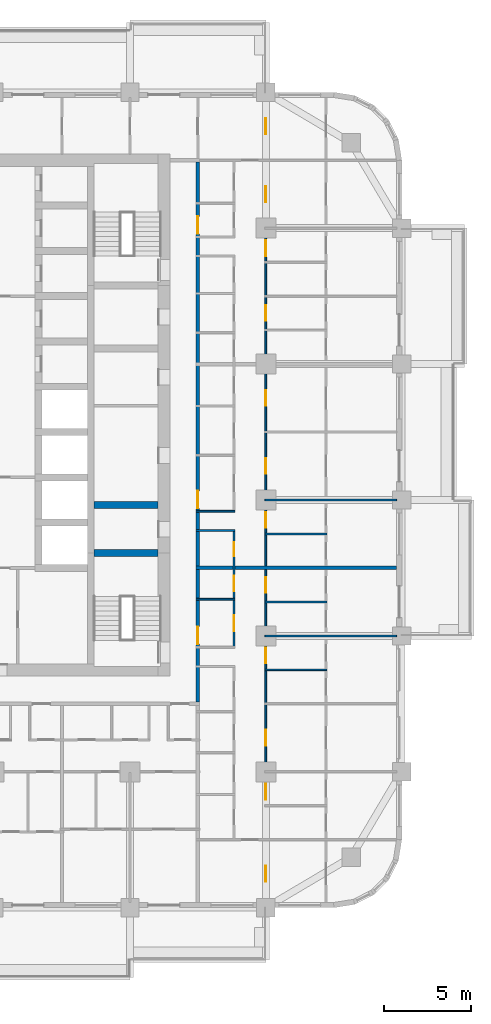
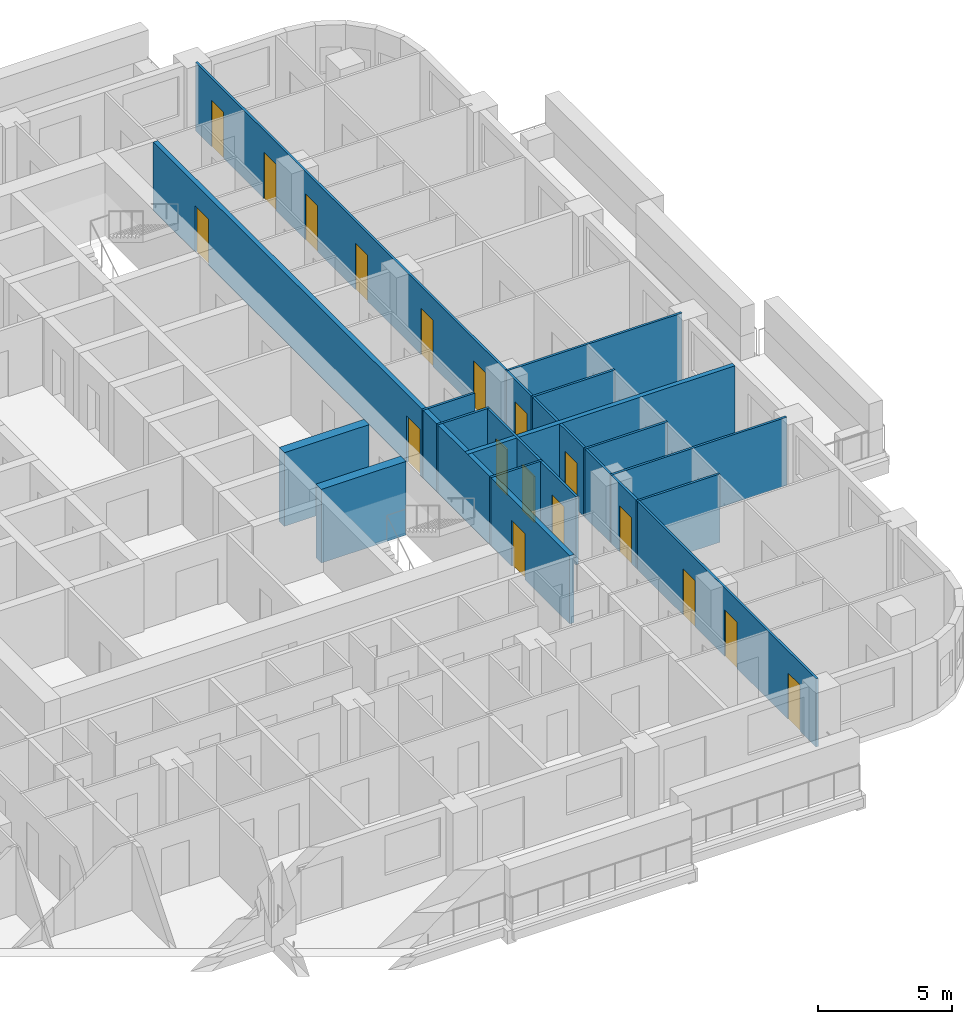
# One storey, part 8 of 17: 18 doors, 14 walls, 18 openings.
"""IFC4 building model written with IfcOpenShell, lengths in metres."""

from ifc_helpers import new_model, si_unit, direction, frame, frame_2d, origin, place, context, subcontext, project, spatial, rectangle, extrude, material, layer, layer_set, type_object, element, fill, save


model = new_model("IFC4")

# Units and contexts
model_context = context("Model", 3, precision=1e-05, world=origin(), true_north=direction((0.0, 1.0)))
body_context = subcontext(model_context, "Body", "Model", "MODEL_VIEW")
ifc_project = project(units=[si_unit("LENGTHUNIT", "METRE"), si_unit("AREAUNIT", "SQUARE_METRE"), si_unit("VOLUMEUNIT", "CUBIC_METRE"), si_unit("PLANEANGLEUNIT", "RADIAN"), si_unit("MASSUNIT", "GRAM", prefix="KILO")], contexts=[model_context])

# Site, building, storey
site_placement = place(None, origin())
site = spatial("IfcSite", under=ifc_project, at=site_placement, CompositionType="ELEMENT")
building_placement = place(site_placement, origin())
building = spatial("IfcBuilding", under=site, at=building_placement, Name="Ludao Terraces", CompositionType="ELEMENT")
storey_placement = place(building_placement, frame((0.0, 0.0, 43.300048828125)))
storey = spatial("IfcBuildingStorey", under=building, at=storey_placement, Name="L11", CompositionType="ELEMENT", Elevation=43.300048828125)

# Wall, openings, doors
ifc_material_1 = material(Name="Autoclaved aerated concrete block B06 A3.5", Category="concrete")
ifc_layer_1 = layer(ifc_material_1, 0.199951171875)
ifc_layer_set_1 = layer_set([ifc_layer_1], Name="INT Entrance wall 200")
wall_type_1 = type_object("IfcWallType", Name="INT Entrance wall 200", PredefinedType="PARTITIONING", material=ifc_layer_set_1)
wall_1_placement = place(storey_placement, frame((96.699951171875, 53.400146484375, 0.0), z_axis=(0.0, 0.0, 1.0), x_axis=(0.0, 1.0, 0.0)))
wall_1 = element("IfcWall", 1, at=wall_1_placement, inside=storey, type_object=wall_type_1, Name="PW-L11-PW117", PredefinedType="PARTITIONING", context=body_context, shape_type="SweptSolid", body=[
    extrude(rectangle(XDim=31.0, YDim=0.199951171875, at=frame_2d((15.5, 0.0))), origin(), (0.0, 0.0, 1.0), 3.099853515625),
])
opening_1_placement = place(wall_1_placement, frame((3.324951171875, 0.0, 0.0)))
opening_1 = element("IfcOpeningElement", 2, at=opening_1_placement, cuts=wall_1, Name="Opening R03-061", PredefinedType="OPENING", context=body_context, shape_type="SweptSolid", body=[
    extrude(rectangle(XDim=1.0, YDim=2.10009765625, at=frame_2d((0.5, 1.050048828125))), frame((0.0, 0.10986328125, 0.0), z_axis=(0.0, -1.0, 0.0), x_axis=(1.0, 0.0, 0.0)), (0.0, 0.0, 1.0), 0.219970703125),
])
opening_2_placement = place(wall_1_placement, frame((11.125, 0.0, 0.0)))
opening_2 = element("IfcOpeningElement", 3, at=opening_2_placement, cuts=wall_1, Name="Opening R03-087", PredefinedType="OPENING", context=body_context, shape_type="SweptSolid", body=[
    extrude(rectangle(XDim=1.0, YDim=2.10009765625, at=frame_2d((0.5, 1.050048828125))), frame((0.0, 0.10986328125, 0.0), z_axis=(0.0, -1.0, 0.0), x_axis=(1.0, 0.0, 0.0)), (0.0, 0.0, 1.0), 0.219970703125),
])
opening_3_placement = place(wall_1_placement, frame((26.875, 0.0, 0.0)))
opening_3 = element("IfcOpeningElement", 4, at=opening_3_placement, cuts=wall_1, Name="Opening R03-142", PredefinedType="OPENING", context=body_context, shape_type="SweptSolid", body=[
    extrude(rectangle(XDim=1.0, YDim=2.10009765625, at=frame_2d((0.5, 1.050048828125))), frame((0.0, 0.10986328125, 0.0), z_axis=(0.0, -1.0, 0.0), x_axis=(1.0, 0.0, 0.0)), (0.0, 0.0, 1.0), 0.219970703125),
])
ifc_material_2 = material(Name="Steel Q235", Category="steel")
door_type_1 = type_object("IfcDoorType", Name="INT Flat entrance door 1000", OperationType="SINGLE_SWING_LEFT", PredefinedType="DOOR", material=ifc_material_2)
door_1_placement = place(opening_1_placement, origin())
door_1 = element("IfcDoor", 5, at=door_1_placement, inside=storey, type_object=door_type_1, Name="DOOR 061", OperationType="SINGLE_SWING_LEFT", OverallHeight=2.10009765625, OverallWidth=1.0, PredefinedType="DOOR", context=body_context, shape_type="SweptSolid", body=[
    extrude(rectangle(XDim=1.0, YDim=2.10009765625, at=frame_2d((0.5, 1.050048828125))), frame((0.0, 0.02490234375, 0.0), z_axis=(0.0, -1.0, 0.0), x_axis=(1.0, 0.0, 0.0)), (0.0, 0.0, 1.0), 0.050048828125),
])
fill(opening_1, door_1)
door_2_placement = place(opening_2_placement, origin())
door_2 = element("IfcDoor", 6, at=door_2_placement, inside=storey, type_object=door_type_1, Name="DOOR 087", OperationType="SINGLE_SWING_LEFT", OverallHeight=2.10009765625, OverallWidth=1.0, PredefinedType="DOOR", context=body_context, shape_type="SweptSolid", body=[
    extrude(rectangle(XDim=1.0, YDim=2.10009765625, at=frame_2d((0.5, 1.050048828125))), frame((0.0, 0.02490234375, 0.0), z_axis=(0.0, -1.0, 0.0), x_axis=(1.0, 0.0, 0.0)), (0.0, 0.0, 1.0), 0.050048828125),
])
fill(opening_2, door_2)
door_3_placement = place(opening_3_placement, origin())
door_3 = element("IfcDoor", 7, at=door_3_placement, inside=storey, type_object=door_type_1, Name="DOOR 142", OperationType="SINGLE_SWING_LEFT", OverallHeight=2.10009765625, OverallWidth=1.0, PredefinedType="DOOR", context=body_context, shape_type="SweptSolid", body=[
    extrude(rectangle(XDim=1.0, YDim=2.10009765625, at=frame_2d((0.5, 1.050048828125))), frame((0.0, 0.02490234375, 0.0), z_axis=(0.0, -1.0, 0.0), x_axis=(1.0, 0.0, 0.0)), (0.0, 0.0, 1.0), 0.050048828125),
])
fill(opening_3, door_3)

# Walls
ifc_material_3 = material(Name="Gypsum plasterboard", Category="gypsum")
ifc_layer_2 = layer(ifc_material_3, 0.012451171875, Category="gypsum")
ifc_material_4 = material(Name="Mineral wool")
ifc_layer_3 = layer(ifc_material_4, 0.06005859375, Name="insulation")
ifc_layer_4 = layer(ifc_material_2, 0.014892578125, Name="stud")
ifc_layer_5 = layer(ifc_material_3, 0.012451171875, Category="gypsum")
ifc_layer_set_2 = layer_set([ifc_layer_2, ifc_layer_3, ifc_layer_4, ifc_layer_5], Name="INT Partition 100")
wall_type_2 = type_object("IfcWallType", Name="INT Partition 100", PredefinedType="PARTITIONING", material=ifc_layer_set_2)
wall_2_placement = place(storey_placement, frame((100.550048828125, 55.25, 0.0), z_axis=(0.0, 0.0, 1.0), x_axis=(1.0, 0.0, 0.0)))
element("IfcWall", 8, at=wall_2_placement, inside=storey, type_object=wall_type_2, Name="PW-L11-PW024", PredefinedType="PARTITIONING", context=body_context, shape_type="SweptSolid", body=[
    extrude(rectangle(XDim=3.550048828125, YDim=0.10009765625, at=frame_2d((1.77490234375, 0.0))), origin(), (0.0, 0.0, 1.0), 3.099853515625),
])
wall_3_placement = place(storey_placement, frame((100.550048828125, 57.199951171875, 0.0), z_axis=(0.0, 0.0, 1.0), x_axis=(1.0, 0.0, 0.0)))
element("IfcWall", 9, at=wall_3_placement, inside=storey, type_object=wall_type_2, Name="PW-L11-PW029", PredefinedType="PARTITIONING", context=body_context, shape_type="SweptSolid", body=[
    extrude(rectangle(XDim=7.550048828125, YDim=0.10009765625, at=frame_2d((3.77490234375, 0.0))), origin(), (0.0, 0.0, 1.0), 3.099853515625),
])
wall_4_placement = place(storey_placement, frame((100.550048828125, 59.14990234375, 0.0), z_axis=(0.0, 0.0, 1.0), x_axis=(1.0, 0.0, 0.0)))
element("IfcWall", 10, at=wall_4_placement, inside=storey, type_object=wall_type_2, Name="PW-L11-PW033", PredefinedType="PARTITIONING", context=body_context, shape_type="SweptSolid", body=[
    extrude(rectangle(XDim=3.550048828125, YDim=0.10009765625, at=frame_2d((1.77490234375, 0.0))), origin(), (0.0, 0.0, 1.0), 3.099853515625),
])
wall_5_placement = place(storey_placement, frame((96.60009765625, 59.300048828125, 0.0), z_axis=(0.0, 0.0, 1.0), x_axis=(1.0, 0.0, 0.0)))
element("IfcWall", 11, at=wall_5_placement, inside=storey, type_object=wall_type_2, Name="PW-L11-PW034", PredefinedType="PARTITIONING", context=body_context, shape_type="SweptSolid", body=[
    extrude(rectangle(XDim=2.219970703125, YDim=0.10009765625, at=frame_2d((1.10986328125, 0.0))), origin(), (0.0, 0.0, 1.0), 3.099853515625),
])
wall_6_placement = place(storey_placement, frame((100.550048828125, 63.050048828125, 0.0), z_axis=(0.0, 0.0, 1.0), x_axis=(1.0, 0.0, 0.0)))
element("IfcWall", 12, at=wall_6_placement, inside=storey, type_object=wall_type_2, Name="PW-L11-PW039", PredefinedType="PARTITIONING", context=body_context, shape_type="SweptSolid", body=[
    extrude(rectangle(XDim=3.550048828125, YDim=0.10009765625, at=frame_2d((1.77490234375, 0.0))), origin(), (0.0, 0.0, 1.0), 3.099853515625),
])
for number, where, z_axis, x_axis, name in (
    (13, (96.60009765625, 63.25, 0.0), (0.0, 0.0, 1.0), (1.0, 0.0, 0.0), "PW-L11-PW040"),
    (14, (96.60009765625, 64.35009765625, 0.0), (0.0, 0.0, 1.0), (1.0, 0.0, 0.0), "PW-L11-PW042"),
):
    element("IfcWall", number, at=place(storey_placement, frame(where, z_axis=z_axis, x_axis=x_axis)), inside=storey, type_object=wall_type_2, Name=name, PredefinedType="PARTITIONING", context=body_context, shape_type="SweptSolid", body=[
        extrude(rectangle(XDim=2.219970703125, YDim=0.10009765625, at=frame_2d((1.10986328125, 0.0))), origin(), (0.0, 0.0, 1.0), 3.099853515625),
    ])
wall_7_placement = place(storey_placement, frame((100.550048828125, 65.0, 0.0), z_axis=(0.0, 0.0, 1.0), x_axis=(1.0, 0.0, 0.0)))
element("IfcWall", 15, at=wall_7_placement, inside=storey, type_object=wall_type_2, Name="PW-L11-PW044", PredefinedType="PARTITIONING", context=body_context, shape_type="SweptSolid", body=[
    extrude(rectangle(XDim=7.550048828125, YDim=0.10009765625, at=frame_2d((3.77490234375, 0.0))), origin(), (0.0, 0.0, 1.0), 3.099853515625),
])

# Wall, openings, doors
wall_8_placement = place(storey_placement, frame((98.77001953125, 56.60009765625, 0.0), z_axis=(0.0, 0.0, 1.0), x_axis=(0.0, 1.0, 0.0)))
wall_8 = element("IfcWall", 16, at=wall_8_placement, inside=storey, type_object=wall_type_2, Name="PW-L11-PW120", PredefinedType="PARTITIONING", context=body_context, shape_type="SweptSolid", body=[
    extrude(rectangle(XDim=6.60009765625, YDim=0.10009765625, at=frame_2d((3.300048828125, 0.0))), origin(), (0.0, 0.0, 1.0), 3.099853515625),
])
opening_4_placement = place(wall_8_placement, frame((0.875, 0.0, 0.0)))
opening_4 = element("IfcOpeningElement", 17, at=opening_4_placement, cuts=wall_8, Name="Opening R03-062", PredefinedType="OPENING", context=body_context, shape_type="SweptSolid", body=[
    extrude(rectangle(XDim=0.89990234375, YDim=2.10009765625, at=frame_2d((0.449951171875, 1.050048828125))), frame((0.0, 0.06005859375, 0.0), z_axis=(0.0, -1.0, 0.0), x_axis=(1.0, 0.0, 0.0)), (0.0, 0.0, 1.0), 0.1201171875),
])
opening_5_placement = place(wall_8_placement, frame((3.14990234375, 0.0, 0.0)))
opening_5 = element("IfcOpeningElement", 18, at=opening_5_placement, cuts=wall_8, Name="Opening R03-073", PredefinedType="OPENING", context=body_context, shape_type="SweptSolid", body=[
    extrude(rectangle(XDim=0.89990234375, YDim=2.10009765625, at=frame_2d((0.449951171875, 1.050048828125))), frame((0.0, 0.06005859375, 0.0), z_axis=(0.0, -1.0, 0.0), x_axis=(1.0, 0.0, 0.0)), (0.0, 0.0, 1.0), 0.1201171875),
])
opening_6_placement = place(wall_8_placement, frame((5.175048828125, 0.0, 0.0)))
opening_6 = element("IfcOpeningElement", 19, at=opening_6_placement, cuts=wall_8, Name="Opening R03-077", PredefinedType="OPENING", context=body_context, shape_type="SweptSolid", body=[
    extrude(rectangle(XDim=0.800048828125, YDim=2.10009765625, at=frame_2d((0.39990234375, 1.050048828125))), frame((0.0, 0.06005859375, 0.0), z_axis=(0.0, -1.0, 0.0), x_axis=(1.0, 0.0, 0.0)), (0.0, 0.0, 1.0), 0.1201171875),
])
ifc_material_5 = material(Name="Timber door leaf", Category="wood")
door_type_2 = type_object("IfcDoorType", Name="INT Bathroom door 900", OperationType="SINGLE_SWING_LEFT", PredefinedType="DOOR", material=ifc_material_5)
door_4_placement = place(opening_5_placement, origin())
door_4 = element("IfcDoor", 20, at=door_4_placement, inside=storey, type_object=door_type_2, Name="DOOR 073", OperationType="SINGLE_SWING_RIGHT", OverallHeight=2.10009765625, OverallWidth=0.89990234375, PredefinedType="DOOR", context=body_context, shape_type="SweptSolid", body=[
    extrude(rectangle(XDim=0.89990234375, YDim=2.10009765625, at=frame_2d((0.449951171875, 1.050048828125))), frame((0.0, 0.02490234375, 0.0), z_axis=(0.0, -1.0, 0.0), x_axis=(1.0, 0.0, 0.0)), (0.0, 0.0, 1.0), 0.050048828125),
])
fill(opening_5, door_4)
door_type_3 = type_object("IfcDoorType", Name="INT Room door 900", OperationType="SINGLE_SWING_LEFT", PredefinedType="DOOR", material=ifc_material_5)
door_5_placement = place(opening_4_placement, origin())
door_5 = element("IfcDoor", 21, at=door_5_placement, inside=storey, type_object=door_type_3, Name="DOOR 062", OperationType="SINGLE_SWING_RIGHT", OverallHeight=2.10009765625, OverallWidth=0.89990234375, PredefinedType="DOOR", context=body_context, shape_type="SweptSolid", body=[
    extrude(rectangle(XDim=0.89990234375, YDim=2.10009765625, at=frame_2d((0.449951171875, 1.050048828125))), frame((0.0, 0.02490234375, 0.0), z_axis=(0.0, -1.0, 0.0), x_axis=(1.0, 0.0, 0.0)), (0.0, 0.0, 1.0), 0.050048828125),
])
fill(opening_4, door_5)
door_type_4 = type_object("IfcDoorType", Name="INT Store door 800", OperationType="SINGLE_SWING_LEFT", PredefinedType="DOOR", material=ifc_material_5)
door_6_placement = place(opening_6_placement, origin())
door_6 = element("IfcDoor", 22, at=door_6_placement, inside=storey, type_object=door_type_4, Name="DOOR 077", OperationType="SINGLE_SWING_LEFT", OverallHeight=2.10009765625, OverallWidth=0.800048828125, PredefinedType="DOOR", context=body_context, shape_type="SweptSolid", body=[
    extrude(rectangle(XDim=0.800048828125, YDim=2.10009765625, at=frame_2d((0.39990234375, 1.050048828125))), frame((0.0, 0.02490234375, 0.0), z_axis=(0.0, -1.0, 0.0), x_axis=(1.0, 0.0, 0.0)), (0.0, 0.0, 1.0), 0.050048828125),
])
fill(opening_6, door_6)

wall_9_placement = place(storey_placement, frame((100.60009765625, 41.900146484375, 0.0), z_axis=(0.0, 0.0, 1.0), x_axis=(0.0, 1.0, 0.0)))
wall_9 = element("IfcWall", 23, at=wall_9_placement, inside=storey, type_object=wall_type_2, Name="PW-L11-PW123", PredefinedType="PARTITIONING", context=body_context, shape_type="SweptSolid", body=[
    extrude(rectangle(XDim=46.199951171875, YDim=0.10009765625, at=frame_2d((23.10009765625, 0.0))), origin(), (0.0, 0.0, 1.0), 3.099853515625),
])
opening_7_placement = place(wall_9_placement, frame((1.199951171875, 0.0, 0.0)))
opening_7 = element("IfcOpeningElement", 24, at=opening_7_placement, cuts=wall_9, Name="Opening R03-003", PredefinedType="OPENING", context=body_context, shape_type="SweptSolid", body=[
    extrude(rectangle(XDim=0.89990234375, YDim=2.10009765625, at=frame_2d((0.449951171875, 1.050048828125))), frame((0.0, 0.06005859375, 0.0), z_axis=(0.0, -1.0, 0.0), x_axis=(1.0, 0.0, 0.0)), (0.0, 0.0, 1.0), 0.1201171875),
])
opening_8_placement = place(wall_9_placement, frame((5.89990234375, 0.0, 0.0)))
opening_8 = element("IfcOpeningElement", 25, at=opening_8_placement, cuts=wall_9, Name="Opening R03-021", PredefinedType="OPENING", context=body_context, shape_type="SweptSolid", body=[
    extrude(rectangle(XDim=0.89990234375, YDim=2.10009765625, at=frame_2d((0.449951171875, 1.050048828125))), frame((0.0, 0.06005859375, 0.0), z_axis=(0.0, -1.0, 0.0), x_axis=(1.0, 0.0, 0.0)), (0.0, 0.0, 1.0), 0.1201171875),
])
opening_9_placement = place(wall_9_placement, frame((9.0, 0.0, 0.0)))
opening_9 = element("IfcOpeningElement", 26, at=opening_9_placement, cuts=wall_9, Name="Opening R03-043", PredefinedType="OPENING", context=body_context, shape_type="SweptSolid", body=[
    extrude(rectangle(XDim=0.89990234375, YDim=2.10009765625, at=frame_2d((0.449951171875, 1.050048828125))), frame((0.0, 0.06005859375, 0.0), z_axis=(0.0, -1.0, 0.0), x_axis=(1.0, 0.0, 0.0)), (0.0, 0.0, 1.0), 0.1201171875),
])
opening_10_placement = place(wall_9_placement, frame((13.72509765625, 0.0, 0.0)))
opening_10 = element("IfcOpeningElement", 27, at=opening_10_placement, cuts=wall_9, Name="Opening R03-056", PredefinedType="OPENING", context=body_context, shape_type="SweptSolid", body=[
    extrude(rectangle(XDim=0.89990234375, YDim=2.10009765625, at=frame_2d((0.449951171875, 1.050048828125))), frame((0.0, 0.06005859375, 0.0), z_axis=(0.0, -1.0, 0.0), x_axis=(1.0, 0.0, 0.0)), (0.0, 0.0, 1.0), 0.1201171875),
])
opening_11_placement = place(wall_9_placement, frame((17.77490234375, 0.0, 0.0)))
opening_11 = element("IfcOpeningElement", 28, at=opening_11_placement, cuts=wall_9, Name="Opening R03-071", PredefinedType="OPENING", context=body_context, shape_type="SweptSolid", body=[
    extrude(rectangle(XDim=0.89990234375, YDim=2.10009765625, at=frame_2d((0.449951171875, 1.050048828125))), frame((0.0, 0.06005859375, 0.0), z_axis=(0.0, -1.0, 0.0), x_axis=(1.0, 0.0, 0.0)), (0.0, 0.0, 1.0), 0.1201171875),
])
opening_12_placement = place(wall_9_placement, frame((21.5, 0.0, 0.0)))
opening_12 = element("IfcOpeningElement", 29, at=opening_12_placement, cuts=wall_9, Name="Opening R03-083", PredefinedType="OPENING", context=body_context, shape_type="SweptSolid", body=[
    extrude(rectangle(XDim=0.89990234375, YDim=2.10009765625, at=frame_2d((0.449951171875, 1.050048828125))), frame((0.0, 0.06005859375, 0.0), z_axis=(0.0, -1.0, 0.0), x_axis=(1.0, 0.0, 0.0)), (0.0, 0.0, 1.0), 0.1201171875),
])
opening_13_placement = place(wall_9_placement, frame((24.60009765625, 0.0, 0.0)))
opening_13 = element("IfcOpeningElement", 30, at=opening_13_placement, cuts=wall_9, Name="Opening R03-092", PredefinedType="OPENING", context=body_context, shape_type="SweptSolid", body=[
    extrude(rectangle(XDim=0.89990234375, YDim=2.10009765625, at=frame_2d((0.449951171875, 1.050048828125))), frame((0.0, 0.06005859375, 0.0), z_axis=(0.0, -1.0, 0.0), x_axis=(1.0, 0.0, 0.0)), (0.0, 0.0, 1.0), 0.1201171875),
])
opening_14_placement = place(wall_9_placement, frame((28.5, 0.0, 0.0)))
opening_14 = element("IfcOpeningElement", 31, at=opening_14_placement, cuts=wall_9, Name="Opening R03-105", PredefinedType="OPENING", context=body_context, shape_type="SweptSolid", body=[
    extrude(rectangle(XDim=0.89990234375, YDim=2.10009765625, at=frame_2d((0.449951171875, 1.050048828125))), frame((0.0, 0.06005859375, 0.0), z_axis=(0.0, -1.0, 0.0), x_axis=(1.0, 0.0, 0.0)), (0.0, 0.0, 1.0), 0.1201171875),
])
opening_15_placement = place(wall_9_placement, frame((33.375, 0.0, 0.0)))
opening_15 = element("IfcOpeningElement", 32, at=opening_15_placement, cuts=wall_9, Name="Opening R03-125", PredefinedType="OPENING", context=body_context, shape_type="SweptSolid", body=[
    extrude(rectangle(XDim=0.89990234375, YDim=2.10009765625, at=frame_2d((0.449951171875, 1.050048828125))), frame((0.0, 0.06005859375, 0.0), z_axis=(0.0, -1.0, 0.0), x_axis=(1.0, 0.0, 0.0)), (0.0, 0.0, 1.0), 0.1201171875),
])
opening_16_placement = place(wall_9_placement, frame((37.10009765625, 0.0, 0.0)))
opening_16 = element("IfcOpeningElement", 33, at=opening_16_placement, cuts=wall_9, Name="Opening R03-137", PredefinedType="OPENING", context=body_context, shape_type="SweptSolid", body=[
    extrude(rectangle(XDim=0.89990234375, YDim=2.10009765625, at=frame_2d((0.449951171875, 1.050048828125))), frame((0.0, 0.06005859375, 0.0), z_axis=(0.0, -1.0, 0.0), x_axis=(1.0, 0.0, 0.0)), (0.0, 0.0, 1.0), 0.1201171875),
])
opening_17_placement = place(wall_9_placement, frame((40.199951171875, 0.0, 0.0)))
opening_17 = element("IfcOpeningElement", 34, at=opening_17_placement, cuts=wall_9, Name="Opening R03-147", PredefinedType="OPENING", context=body_context, shape_type="SweptSolid", body=[
    extrude(rectangle(XDim=0.89990234375, YDim=2.10009765625, at=frame_2d((0.449951171875, 1.050048828125))), frame((0.0, 0.06005859375, 0.0), z_axis=(0.0, -1.0, 0.0), x_axis=(1.0, 0.0, 0.0)), (0.0, 0.0, 1.0), 0.1201171875),
])
opening_18_placement = place(wall_9_placement, frame((44.10009765625, 0.0, 0.0)))
opening_18 = element("IfcOpeningElement", 35, at=opening_18_placement, cuts=wall_9, Name="Opening R03-163", PredefinedType="OPENING", context=body_context, shape_type="SweptSolid", body=[
    extrude(rectangle(XDim=0.89990234375, YDim=2.10009765625, at=frame_2d((0.449951171875, 1.050048828125))), frame((0.0, 0.06005859375, 0.0), z_axis=(0.0, -1.0, 0.0), x_axis=(1.0, 0.0, 0.0)), (0.0, 0.0, 1.0), 0.1201171875),
])
door_7_placement = place(opening_7_placement, origin())
door_7 = element("IfcDoor", 36, at=door_7_placement, inside=storey, type_object=door_type_3, Name="DOOR 003", OperationType="SINGLE_SWING_RIGHT", OverallHeight=2.10009765625, OverallWidth=0.89990234375, PredefinedType="DOOR", context=body_context, shape_type="SweptSolid", body=[
    extrude(rectangle(XDim=0.89990234375, YDim=2.10009765625, at=frame_2d((0.449951171875, 1.050048828125))), frame((0.0, 0.02490234375, 0.0), z_axis=(0.0, -1.0, 0.0), x_axis=(1.0, 0.0, 0.0)), (0.0, 0.0, 1.0), 0.050048828125),
])
fill(opening_7, door_7)
door_8_placement = place(opening_8_placement, origin())
door_8 = element("IfcDoor", 37, at=door_8_placement, inside=storey, type_object=door_type_3, Name="DOOR 021", OperationType="SINGLE_SWING_RIGHT", OverallHeight=2.10009765625, OverallWidth=0.89990234375, PredefinedType="DOOR", context=body_context, shape_type="SweptSolid", body=[
    extrude(rectangle(XDim=0.89990234375, YDim=2.10009765625, at=frame_2d((0.449951171875, 1.050048828125))), frame((0.0, 0.02490234375, 0.0), z_axis=(0.0, -1.0, 0.0), x_axis=(1.0, 0.0, 0.0)), (0.0, 0.0, 1.0), 0.050048828125),
])
fill(opening_8, door_8)
door_9_placement = place(opening_9_placement, origin())
door_9 = element("IfcDoor", 38, at=door_9_placement, inside=storey, type_object=door_type_3, Name="DOOR 043", OperationType="SINGLE_SWING_LEFT", OverallHeight=2.10009765625, OverallWidth=0.89990234375, PredefinedType="DOOR", context=body_context, shape_type="SweptSolid", body=[
    extrude(rectangle(XDim=0.89990234375, YDim=2.10009765625, at=frame_2d((0.449951171875, 1.050048828125))), frame((0.0, 0.02490234375, 0.0), z_axis=(0.0, -1.0, 0.0), x_axis=(1.0, 0.0, 0.0)), (0.0, 0.0, 1.0), 0.050048828125),
])
fill(opening_9, door_9)
door_10_placement = place(opening_10_placement, origin())
door_10 = element("IfcDoor", 39, at=door_10_placement, inside=storey, type_object=door_type_3, Name="DOOR 056", OperationType="SINGLE_SWING_RIGHT", OverallHeight=2.10009765625, OverallWidth=0.89990234375, PredefinedType="DOOR", context=body_context, shape_type="SweptSolid", body=[
    extrude(rectangle(XDim=0.89990234375, YDim=2.10009765625, at=frame_2d((0.449951171875, 1.050048828125))), frame((0.0, 0.02490234375, 0.0), z_axis=(0.0, -1.0, 0.0), x_axis=(1.0, 0.0, 0.0)), (0.0, 0.0, 1.0), 0.050048828125),
])
fill(opening_10, door_10)
door_11_placement = place(opening_11_placement, origin())
door_11 = element("IfcDoor", 40, at=door_11_placement, inside=storey, type_object=door_type_3, Name="DOOR 071", OperationType="SINGLE_SWING_RIGHT", OverallHeight=2.10009765625, OverallWidth=0.89990234375, PredefinedType="DOOR", context=body_context, shape_type="SweptSolid", body=[
    extrude(rectangle(XDim=0.89990234375, YDim=2.10009765625, at=frame_2d((0.449951171875, 1.050048828125))), frame((0.0, 0.02490234375, 0.0), z_axis=(0.0, -1.0, 0.0), x_axis=(1.0, 0.0, 0.0)), (0.0, 0.0, 1.0), 0.050048828125),
])
fill(opening_11, door_11)
door_12_placement = place(opening_12_placement, origin())
door_12 = element("IfcDoor", 41, at=door_12_placement, inside=storey, type_object=door_type_3, Name="DOOR 083", OperationType="SINGLE_SWING_RIGHT", OverallHeight=2.10009765625, OverallWidth=0.89990234375, PredefinedType="DOOR", context=body_context, shape_type="SweptSolid", body=[
    extrude(rectangle(XDim=0.89990234375, YDim=2.10009765625, at=frame_2d((0.449951171875, 1.050048828125))), frame((0.0, 0.02490234375, 0.0), z_axis=(0.0, -1.0, 0.0), x_axis=(1.0, 0.0, 0.0)), (0.0, 0.0, 1.0), 0.050048828125),
])
fill(opening_12, door_12)
door_13_placement = place(opening_13_placement, origin())
door_13 = element("IfcDoor", 42, at=door_13_placement, inside=storey, type_object=door_type_3, Name="DOOR 092", OperationType="SINGLE_SWING_RIGHT", OverallHeight=2.10009765625, OverallWidth=0.89990234375, PredefinedType="DOOR", context=body_context, shape_type="SweptSolid", body=[
    extrude(rectangle(XDim=0.89990234375, YDim=2.10009765625, at=frame_2d((0.449951171875, 1.050048828125))), frame((0.0, 0.02490234375, 0.0), z_axis=(0.0, -1.0, 0.0), x_axis=(1.0, 0.0, 0.0)), (0.0, 0.0, 1.0), 0.050048828125),
])
fill(opening_13, door_13)
door_14_placement = place(opening_14_placement, origin())
door_14 = element("IfcDoor", 43, at=door_14_placement, inside=storey, type_object=door_type_3, Name="DOOR 105", OperationType="SINGLE_SWING_LEFT", OverallHeight=2.10009765625, OverallWidth=0.89990234375, PredefinedType="DOOR", context=body_context, shape_type="SweptSolid", body=[
    extrude(rectangle(XDim=0.89990234375, YDim=2.10009765625, at=frame_2d((0.449951171875, 1.050048828125))), frame((0.0, 0.02490234375, 0.0), z_axis=(0.0, -1.0, 0.0), x_axis=(1.0, 0.0, 0.0)), (0.0, 0.0, 1.0), 0.050048828125),
])
fill(opening_14, door_14)
door_15_placement = place(opening_15_placement, origin())
door_15 = element("IfcDoor", 44, at=door_15_placement, inside=storey, type_object=door_type_3, Name="DOOR 125", OperationType="SINGLE_SWING_RIGHT", OverallHeight=2.10009765625, OverallWidth=0.89990234375, PredefinedType="DOOR", context=body_context, shape_type="SweptSolid", body=[
    extrude(rectangle(XDim=0.89990234375, YDim=2.10009765625, at=frame_2d((0.449951171875, 1.050048828125))), frame((0.0, 0.02490234375, 0.0), z_axis=(0.0, -1.0, 0.0), x_axis=(1.0, 0.0, 0.0)), (0.0, 0.0, 1.0), 0.050048828125),
])
fill(opening_15, door_15)
door_16_placement = place(opening_16_placement, origin())
door_16 = element("IfcDoor", 45, at=door_16_placement, inside=storey, type_object=door_type_3, Name="DOOR 137", OperationType="SINGLE_SWING_RIGHT", OverallHeight=2.10009765625, OverallWidth=0.89990234375, PredefinedType="DOOR", context=body_context, shape_type="SweptSolid", body=[
    extrude(rectangle(XDim=0.89990234375, YDim=2.10009765625, at=frame_2d((0.449951171875, 1.050048828125))), frame((0.0, 0.02490234375, 0.0), z_axis=(0.0, -1.0, 0.0), x_axis=(1.0, 0.0, 0.0)), (0.0, 0.0, 1.0), 0.050048828125),
])
fill(opening_16, door_16)
door_17_placement = place(opening_17_placement, origin())
door_17 = element("IfcDoor", 46, at=door_17_placement, inside=storey, type_object=door_type_3, Name="DOOR 147", OperationType="SINGLE_SWING_LEFT", OverallHeight=2.10009765625, OverallWidth=0.89990234375, PredefinedType="DOOR", context=body_context, shape_type="SweptSolid", body=[
    extrude(rectangle(XDim=0.89990234375, YDim=2.10009765625, at=frame_2d((0.449951171875, 1.050048828125))), frame((0.0, 0.02490234375, 0.0), z_axis=(0.0, -1.0, 0.0), x_axis=(1.0, 0.0, 0.0)), (0.0, 0.0, 1.0), 0.050048828125),
])
fill(opening_17, door_17)
door_18_placement = place(opening_18_placement, origin())
door_18 = element("IfcDoor", 47, at=door_18_placement, inside=storey, type_object=door_type_3, Name="DOOR 163", OperationType="SINGLE_SWING_LEFT", OverallHeight=2.10009765625, OverallWidth=0.89990234375, PredefinedType="DOOR", context=body_context, shape_type="SweptSolid", body=[
    extrude(rectangle(XDim=0.89990234375, YDim=2.10009765625, at=frame_2d((0.449951171875, 1.050048828125))), frame((0.0, 0.02490234375, 0.0), z_axis=(0.0, -1.0, 0.0), x_axis=(1.0, 0.0, 0.0)), (0.0, 0.0, 1.0), 0.050048828125),
])
fill(opening_18, door_18)

# Walls
ifc_layer_6 = layer(ifc_material_1, 0.199951171875)
ifc_layer_set_3 = layer_set([ifc_layer_6], Name="INT Party wall 200")
wall_type_3 = type_object("IfcWallType", Name="INT Party wall 200", PredefinedType="PARTITIONING", material=ifc_layer_set_3)
wall_10_placement = place(storey_placement, frame((96.60009765625, 61.10009765625, 0.0), z_axis=(0.0, 0.0, 1.0), x_axis=(1.0, 0.0, 0.0)))
element("IfcWall", 48, at=wall_10_placement, inside=storey, type_object=wall_type_3, Name="PW-L11-PW037", PredefinedType="PARTITIONING", context=body_context, shape_type="SweptSolid", body=[
    extrude(rectangle(XDim=11.5, YDim=0.199951171875, at=frame_2d((5.75, 0.0))), origin(), (0.0, 0.0, 1.0), 3.099853515625),
])
ifc_material_6 = material(Name="Concrete C60", Category="concrete")
ifc_layer_7 = layer(ifc_material_6, 0.39990234375)
ifc_layer_set_4 = layer_set([ifc_layer_7], Name="Shaft wall 400 C60")
wall_type_4 = type_object("IfcWallType", Name="Shaft wall 400 C60", PredefinedType="SOLIDWALL", material=ifc_layer_set_4)
for number, where, z_axis, x_axis, name in (
    (49, (90.75, 61.949951171875, -0.25), (0.0, 0.0, 1.0), (1.0, 0.0, 0.0), "Core wall L11 hall-E"),
    (50, (90.75, 64.699951171875, -0.25), (0.0, 0.0, 1.0), (1.0, 0.0, 0.0), "Core wall L11 riser-a-E"),
):
    element("IfcWall", number, at=place(storey_placement, frame(where, z_axis=z_axis, x_axis=x_axis)), inside=storey, type_object=wall_type_4, Name=name, PredefinedType="SOLIDWALL", context=body_context, shape_type="SweptSolid", body=[
        extrude(rectangle(XDim=3.64990234375, YDim=0.39990234375, at=frame_2d((1.824951171875, 0.0))), origin(), (0.0, 0.0, 1.0), 3.349853515625),
    ])

save(model, "model.ifc")
